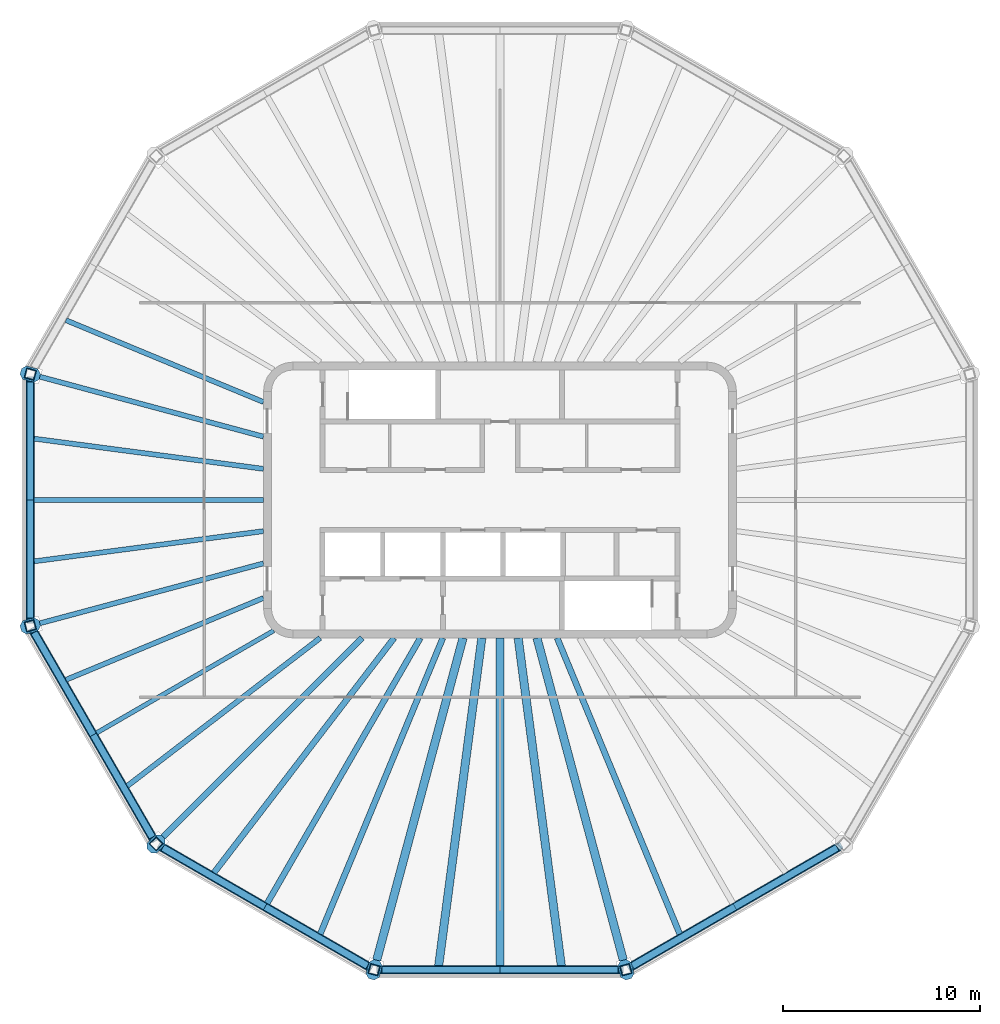
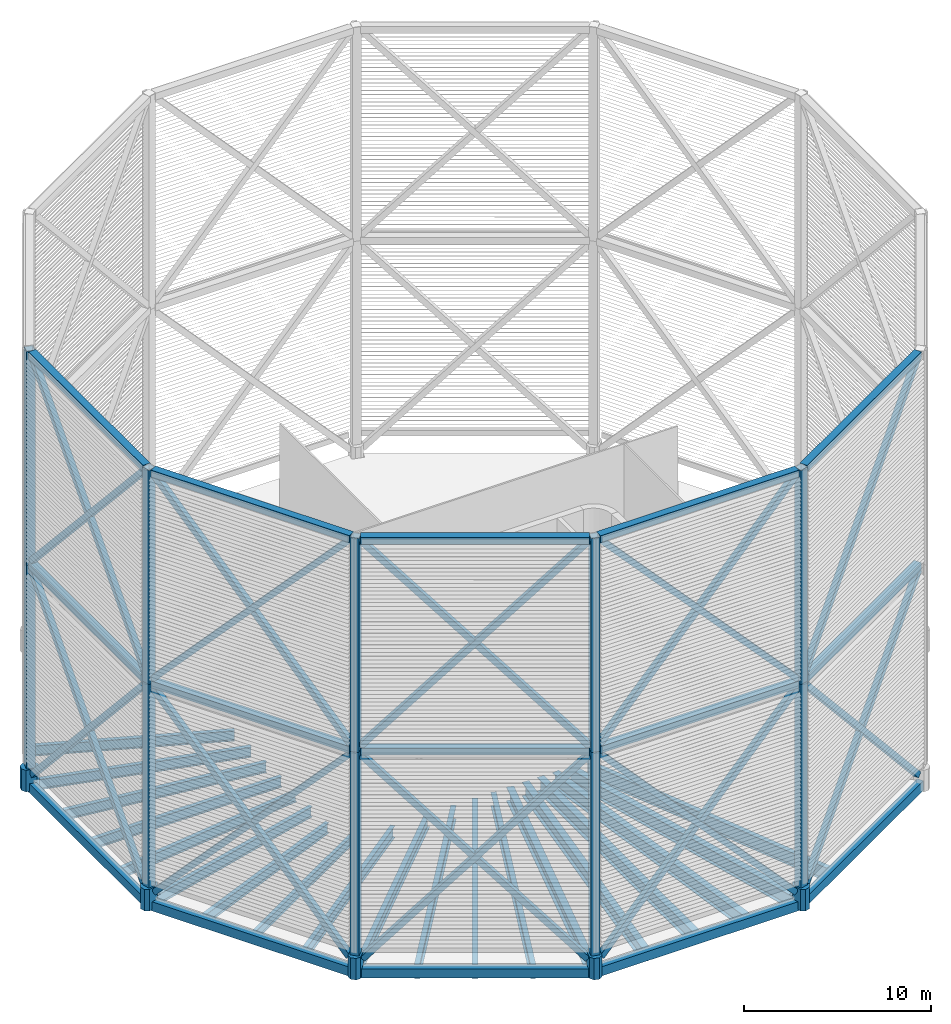
# One storey, part 1 of 18: 44 members, 24 beams.
"""IFC4 building model written with IfcOpenShell, lengths in metres."""

from ifc_helpers import new_model, si_unit, direction, frame, origin, origin_2d, place, context, subcontext, project, spatial, polyline, hollow_rectangle, i_section, outline, extrude, material, material_profile, profile_set, type_object, element, save


model = new_model("IFC4")

# Units and contexts
model_context = context("Model", 3, precision=1e-05, world=origin(), true_north=direction((0.0, 1.0)))
body_context = subcontext(model_context, "Body", "Model", "MODEL_VIEW")
ifc_project = project(units=[si_unit("LENGTHUNIT", "METRE"), si_unit("AREAUNIT", "SQUARE_METRE"), si_unit("VOLUMEUNIT", "CUBIC_METRE"), si_unit("PLANEANGLEUNIT", "RADIAN"), si_unit("MASSUNIT", "GRAM", prefix="KILO")], contexts=[model_context])

# Site, building, storey
site_placement = place(None, origin())
site = spatial("IfcSite", under=ifc_project, at=site_placement, CompositionType="ELEMENT")
building_placement = place(site_placement, origin())
building = spatial("IfcBuilding", under=site, at=building_placement, Name="Sahrelin Media Tower", CompositionType="ELEMENT")
storey_placement = place(building_placement, frame((0.0, 0.0, 335.800048828125)))
storey = spatial("IfcBuildingStorey", under=building, at=storey_placement, Name="Crown", CompositionType="ELEMENT", Elevation=335.800048828125)

# Members
ifc_material_1 = material(Name="Steel S460", Category="steel")
ifc_material_profile_1 = material_profile(ifc_material_1, hollow_rectangle(XDim=0.35009765625, YDim=0.35009765625, WallThickness=0.02001953125, at=origin_2d()), Name="Crown frame brace CF3")
ifc_profile_set_1 = profile_set([ifc_material_profile_1], Name="Steel S460")
member_type_1 = type_object("IfcMemberType", Name="Crown frame brace CF3", PredefinedType="BRACE", material=ifc_profile_set_1)
for number, where, z_axis, x_axis, name in (
    (1, (-23.830078125, 6.02294921875, 0.397216796875), (0.0, -0.673921530076, 0.738802931302), (1.0, 0.0, 0.0), "Crown frame brace CX-05A1"),
    (2, (-23.830078125, -6.02294921875, 0.397216796875), (0.0, 0.673921530076, 0.738802931302), (-1.0, 0.0, 0.0), "Crown frame brace CX-05A2"),
):
    element("IfcMember", number, at=place(storey_placement, frame(where, z_axis=z_axis, x_axis=x_axis)), inside=storey, type_object=member_type_1, Name=name, PredefinedType="BRACE", context=body_context, shape_type="SweptSolid", body=[
        extrude(hollow_rectangle(XDim=0.35009765625, YDim=0.35009765625, WallThickness=0.02001953125, at=origin_2d()), origin(), (0.0, 0.0, 1.0), 18.02783203125),
    ])
for number, where, z_axis, x_axis, name in (
    (3, (-23.830078125, 6.12646484375, 14.28369140625), (0.0, -0.673920329004, 0.738804026895), (1.0, 0.0, 0.0), "Crown frame brace CX-05B1"),
    (4, (-23.830078125, -6.12646484375, 14.28369140625), (0.0, 0.673920329004, 0.738804026895), (-1.0, 0.0, 0.0), "Crown frame brace CX-05B2"),
):
    element("IfcMember", number, at=place(storey_placement, frame(where, z_axis=z_axis, x_axis=x_axis)), inside=storey, type_object=member_type_1, Name=name, PredefinedType="BRACE", context=body_context, shape_type="SweptSolid", body=[
        extrude(hollow_rectangle(XDim=0.35009765625, YDim=0.35009765625, WallThickness=0.02001953125, at=origin_2d()), origin(), (0.0, 0.0, 1.0), 18.181640625),
    ])
for number, where, z_axis, x_axis, name in (
    (5, (-23.64892578125, -6.69921875, 0.397216796875), (0.336963130529, -0.583625234035, 0.738808117756), (0.866020941651, 0.500007728563, 0.0), "Crown frame brace CX-06A1"),
    (6, (-17.626220703125, -17.131103515625, 0.397216796875), (-0.336948462478, 0.583636826792, 0.738805649712), (-0.866034666717, -0.499983955788, 0.0), "Crown frame brace CX-06A2"),
):
    element("IfcMember", number, at=place(storey_placement, frame(where, z_axis=z_axis, x_axis=x_axis)), inside=storey, type_object=member_type_1, Name=name, PredefinedType="BRACE", context=body_context, shape_type="SweptSolid", body=[
        extrude(hollow_rectangle(XDim=0.35009765625, YDim=0.35009765625, WallThickness=0.02001953125, at=origin_2d()), origin(), (0.0, 0.0, 1.0), 18.02783203125),
    ])
for number, where, z_axis, x_axis, name in (
    (7, (-23.70068359375, -6.609375, 14.28369140625), (0.336960383592, -0.583631390469, 0.738804507261), (0.866024990512, 0.500000715809, 0.0), "Crown frame brace CX-06B1"),
    (8, (-17.57421875, -17.220703125, 14.28369140625), (-0.336960383592, 0.583631390469, 0.738804507261), (-0.866024990512, -0.500000715809, 0.0), "Crown frame brace CX-06B2"),
):
    element("IfcMember", number, at=place(storey_placement, frame(where, z_axis=z_axis, x_axis=x_axis)), inside=storey, type_object=member_type_1, Name=name, PredefinedType="BRACE", context=body_context, shape_type="SweptSolid", body=[
        extrude(hollow_rectangle(XDim=0.35009765625, YDim=0.35009765625, WallThickness=0.02001953125, at=origin_2d()), origin(), (0.0, 0.0, 1.0), 18.181640625),
    ])
for number, where, z_axis, x_axis, name in (
    (9, (-17.131103515625, -17.626220703125, 0.397216796875), (0.583636826792, -0.336948462478, 0.738805649712), (0.499983955788, 0.866034666717, 0.0), "Crown frame brace CX-07A1"),
    (10, (-6.69921875, -23.64892578125, 0.397216796875), (-0.583625234035, 0.336963130529, 0.738808117756), (-0.500007728563, -0.866020941651, 0.0), "Crown frame brace CX-07A2"),
):
    element("IfcMember", number, at=place(storey_placement, frame(where, z_axis=z_axis, x_axis=x_axis)), inside=storey, type_object=member_type_1, Name=name, PredefinedType="BRACE", context=body_context, shape_type="SweptSolid", body=[
        extrude(hollow_rectangle(XDim=0.35009765625, YDim=0.35009765625, WallThickness=0.02001953125, at=origin_2d()), origin(), (0.0, 0.0, 1.0), 18.02783203125),
    ])
for number, where, z_axis, x_axis, name in (
    (11, (-17.220703125, -17.57421875, 14.28369140625), (0.583631390469, -0.336960383592, 0.738804507261), (0.500000715809, 0.866024990512, 0.0), "Crown frame brace CX-07B1"),
    (12, (-6.609375, -23.70068359375, 14.28369140625), (-0.583631390469, 0.336960383592, 0.738804507261), (-0.500000715809, -0.866024990512, 0.0), "Crown frame brace CX-07B2"),
):
    element("IfcMember", number, at=place(storey_placement, frame(where, z_axis=z_axis, x_axis=x_axis)), inside=storey, type_object=member_type_1, Name=name, PredefinedType="BRACE", context=body_context, shape_type="SweptSolid", body=[
        extrude(hollow_rectangle(XDim=0.35009765625, YDim=0.35009765625, WallThickness=0.02001953125, at=origin_2d()), origin(), (0.0, 0.0, 1.0), 18.181640625),
    ])
for number, where, z_axis, x_axis, name in (
    (13, (-6.02294921875, -23.830078125, 0.397216796875), (0.673921530076, 0.0, 0.738802931302), (0.0, 1.0, 0.0), "Crown frame brace CX-08A1"),
    (14, (6.02294921875, -23.830078125, 0.397216796875), (-0.673921530076, 0.0, 0.738802931302), (0.0, -1.0, 0.0), "Crown frame brace CX-08A2"),
):
    element("IfcMember", number, at=place(storey_placement, frame(where, z_axis=z_axis, x_axis=x_axis)), inside=storey, type_object=member_type_1, Name=name, PredefinedType="BRACE", context=body_context, shape_type="SweptSolid", body=[
        extrude(hollow_rectangle(XDim=0.35009765625, YDim=0.35009765625, WallThickness=0.02001953125, at=origin_2d()), origin(), (0.0, 0.0, 1.0), 18.02783203125),
    ])
for number, where, z_axis, x_axis, name in (
    (15, (-6.12646484375, -23.830078125, 14.28369140625), (0.673920329004, 0.0, 0.738804026895), (0.0, 1.0, 0.0), "Crown frame brace CX-08B1"),
    (16, (6.12646484375, -23.830078125, 14.28369140625), (-0.673920329004, 0.0, 0.738804026895), (0.0, -1.0, 0.0), "Crown frame brace CX-08B2"),
):
    element("IfcMember", number, at=place(storey_placement, frame(where, z_axis=z_axis, x_axis=x_axis)), inside=storey, type_object=member_type_1, Name=name, PredefinedType="BRACE", context=body_context, shape_type="SweptSolid", body=[
        extrude(hollow_rectangle(XDim=0.35009765625, YDim=0.35009765625, WallThickness=0.02001953125, at=origin_2d()), origin(), (0.0, 0.0, 1.0), 18.181640625),
    ])
for number, where, z_axis, x_axis, name in (
    (17, (6.69921875, -23.64892578125, 0.397216796875), (0.583625234035, 0.336963130529, 0.738808117756), (-0.500007728563, 0.866020941651, 0.0), "Crown frame brace CX-09A1"),
    (18, (17.131103515625, -17.626220703125, 0.397216796875), (-0.583636826792, -0.336948462478, 0.738805649712), (0.499983955788, -0.866034666717, 0.0), "Crown frame brace CX-09A2"),
):
    element("IfcMember", number, at=place(storey_placement, frame(where, z_axis=z_axis, x_axis=x_axis)), inside=storey, type_object=member_type_1, Name=name, PredefinedType="BRACE", context=body_context, shape_type="SweptSolid", body=[
        extrude(hollow_rectangle(XDim=0.35009765625, YDim=0.35009765625, WallThickness=0.02001953125, at=origin_2d()), origin(), (0.0, 0.0, 1.0), 18.02783203125),
    ])
member_1_placement = place(storey_placement, frame((6.609375, -23.70068359375, 14.28369140625), z_axis=(0.583631390469, 0.336960383592, 0.738804507261), x_axis=(-0.500000715809, 0.866024990512, 0.0)))
element("IfcMember", 19, at=member_1_placement, inside=storey, type_object=member_type_1, Name="Crown frame brace CX-09B1", PredefinedType="BRACE", context=body_context, shape_type="SweptSolid", body=[
    extrude(hollow_rectangle(XDim=0.35009765625, YDim=0.35009765625, WallThickness=0.02001953125, at=origin_2d()), origin(), (0.0, 0.0, 1.0), 18.181640625),
])
ifc_material_profile_2 = material_profile(ifc_material_1, hollow_rectangle(XDim=0.5, YDim=0.5, WallThickness=0.030029296875, at=origin_2d()), Name="Crown frame post CF1")
ifc_profile_set_2 = profile_set([ifc_material_profile_2], Name="Steel S460")
member_type_2 = type_object("IfcMemberType", Name="Crown frame post CF1", PredefinedType="POST", material=ifc_profile_set_2)
member_2_placement = place(storey_placement, frame((-23.830078125, 6.38525390625, 0.699951171875), z_axis=(0.0, 0.0, 1.0), x_axis=(-0.965925826289, 0.258819045103, 0.0)))
element("IfcMember", 20, at=member_2_placement, inside=storey, type_object=member_type_2, Name="Crown frame post CP-05-1", PredefinedType="POST", context=body_context, shape_type="SweptSolid", body=[
    extrude(hollow_rectangle(XDim=0.5, YDim=0.5, WallThickness=0.030029296875, at=origin_2d()), origin(), (0.0, 0.0, 1.0), 13.300048828125),
])
member_3_placement = place(storey_placement, frame((-23.830078125, 6.38525390625, 14.0), z_axis=(0.0, 0.0, 1.0), x_axis=(-0.965925826289, 0.258819045103, 0.0)))
element("IfcMember", 21, at=member_3_placement, inside=storey, type_object=member_type_2, Name="Crown frame post CP-05-2", PredefinedType="POST", context=body_context, shape_type="SweptSolid", body=[
    extrude(hollow_rectangle(XDim=0.5, YDim=0.5, WallThickness=0.030029296875, at=origin_2d()), origin(), (0.0, 0.0, 1.0), 13.969970703125),
])
member_4_placement = place(storey_placement, frame((-23.830078125, -6.38525390625, 0.699951171875), z_axis=(0.0, 0.0, 1.0), x_axis=(-0.965925826289, -0.258819045103, 0.0)))
element("IfcMember", 22, at=member_4_placement, inside=storey, type_object=member_type_2, Name="Crown frame post CP-06-1", PredefinedType="POST", context=body_context, shape_type="SweptSolid", body=[
    extrude(hollow_rectangle(XDim=0.5, YDim=0.5, WallThickness=0.030029296875, at=origin_2d()), origin(), (0.0, 0.0, 1.0), 13.300048828125),
])
member_5_placement = place(storey_placement, frame((-23.830078125, -6.38525390625, 14.0), z_axis=(0.0, 0.0, 1.0), x_axis=(-0.965925826289, -0.258819045103, 0.0)))
element("IfcMember", 23, at=member_5_placement, inside=storey, type_object=member_type_2, Name="Crown frame post CP-06-2", PredefinedType="POST", context=body_context, shape_type="SweptSolid", body=[
    extrude(hollow_rectangle(XDim=0.5, YDim=0.5, WallThickness=0.030029296875, at=origin_2d()), origin(), (0.0, 0.0, 1.0), 13.969970703125),
])
member_6_placement = place(storey_placement, frame((-17.44482421875, -17.44482421875, 0.699951171875), z_axis=(0.0, 0.0, 1.0), x_axis=(-0.707106781187, -0.707106781187, 0.0)))
element("IfcMember", 24, at=member_6_placement, inside=storey, type_object=member_type_2, Name="Crown frame post CP-07-1", PredefinedType="POST", context=body_context, shape_type="SweptSolid", body=[
    extrude(hollow_rectangle(XDim=0.5, YDim=0.5, WallThickness=0.030029296875, at=origin_2d()), origin(), (0.0, 0.0, 1.0), 13.300048828125),
])
member_7_placement = place(storey_placement, frame((-17.44482421875, -17.44482421875, 14.0), z_axis=(0.0, 0.0, 1.0), x_axis=(-0.707106781187, -0.707106781187, 0.0)))
element("IfcMember", 25, at=member_7_placement, inside=storey, type_object=member_type_2, Name="Crown frame post CP-07-2", PredefinedType="POST", context=body_context, shape_type="SweptSolid", body=[
    extrude(hollow_rectangle(XDim=0.5, YDim=0.5, WallThickness=0.030029296875, at=origin_2d()), origin(), (0.0, 0.0, 1.0), 13.969970703125),
])
member_8_placement = place(storey_placement, frame((-6.38525390625, -23.830078125, 0.699951171875), z_axis=(0.0, 0.0, 1.0), x_axis=(-0.258819045103, -0.965925826289, 0.0)))
element("IfcMember", 26, at=member_8_placement, inside=storey, type_object=member_type_2, Name="Crown frame post CP-08-1", PredefinedType="POST", context=body_context, shape_type="SweptSolid", body=[
    extrude(hollow_rectangle(XDim=0.5, YDim=0.5, WallThickness=0.030029296875, at=origin_2d()), origin(), (0.0, 0.0, 1.0), 13.300048828125),
])
member_9_placement = place(storey_placement, frame((-6.38525390625, -23.830078125, 14.0), z_axis=(0.0, 0.0, 1.0), x_axis=(-0.258819045103, -0.965925826289, 0.0)))
element("IfcMember", 27, at=member_9_placement, inside=storey, type_object=member_type_2, Name="Crown frame post CP-08-2", PredefinedType="POST", context=body_context, shape_type="SweptSolid", body=[
    extrude(hollow_rectangle(XDim=0.5, YDim=0.5, WallThickness=0.030029296875, at=origin_2d()), origin(), (0.0, 0.0, 1.0), 13.969970703125),
])
member_10_placement = place(storey_placement, frame((6.38525390625, -23.830078125, 0.699951171875), z_axis=(0.0, 0.0, 1.0), x_axis=(0.258819045103, -0.965925826289, 0.0)))
element("IfcMember", 28, at=member_10_placement, inside=storey, type_object=member_type_2, Name="Crown frame post CP-09-1", PredefinedType="POST", context=body_context, shape_type="SweptSolid", body=[
    extrude(hollow_rectangle(XDim=0.5, YDim=0.5, WallThickness=0.030029296875, at=origin_2d()), origin(), (0.0, 0.0, 1.0), 13.300048828125),
])
member_11_placement = place(storey_placement, frame((6.38525390625, -23.830078125, 14.0), z_axis=(0.0, 0.0, 1.0), x_axis=(0.258819045103, -0.965925826289, 0.0)))
element("IfcMember", 29, at=member_11_placement, inside=storey, type_object=member_type_2, Name="Crown frame post CP-09-2", PredefinedType="POST", context=body_context, shape_type="SweptSolid", body=[
    extrude(hollow_rectangle(XDim=0.5, YDim=0.5, WallThickness=0.030029296875, at=origin_2d()), origin(), (0.0, 0.0, 1.0), 13.969970703125),
])
ifc_material_profile_3 = material_profile(ifc_material_1, hollow_rectangle(XDim=0.449951171875, YDim=0.449951171875, WallThickness=0.02490234375, at=origin_2d()), Name="Crown frame ring beam CF2")
ifc_profile_set_3 = profile_set([ifc_material_profile_3], Name="Steel S460")
member_type_3 = type_object("IfcMemberType", Name="Crown frame ring beam CF2", PredefinedType="MEMBER", material=ifc_profile_set_3)
for number, where, z_axis, x_axis, name in (
    (30, (-23.830078125, 6.12646484375, 14.0), (0.0, -1.0, 0.0), (1.0, 0.0, 0.0), "Crown frame mid ring beam CR-MID-05"),
    (31, (-23.70068359375, -6.609375, 14.0), (0.500000715809, -0.866024990512, 0.0), (0.866024990512, 0.500000715809, 0.0), "Crown frame mid ring beam CR-MID-06"),
    (32, (-17.220703125, -17.57421875, 14.0), (0.866024990512, -0.500000715809, 0.0), (0.500000715809, 0.866024990512, 0.0), "Crown frame mid ring beam CR-MID-07"),
    (33, (-6.12646484375, -23.830078125, 14.0), (1.0, 0.0, 0.0), (0.0, 1.0, 0.0), "Crown frame mid ring beam CR-MID-08"),
    (34, (6.609375, -23.70068359375, 14.0), (0.866024990512, 0.500000715809, 0.0), (-0.500000715809, 0.866024990512, 0.0), "Crown frame mid ring beam CR-MID-09"),
    (35, (-23.830078125, 6.12646484375, 27.77490234375), (0.0, -1.0, 0.0), (1.0, 0.0, 0.0), "Crown frame cap ring beam CR-CAP-05"),
    (36, (-23.70068359375, -6.609375, 27.77490234375), (0.500000715809, -0.866024990512, 0.0), (0.866024990512, 0.500000715809, 0.0), "Crown frame cap ring beam CR-CAP-06"),
    (37, (-17.220703125, -17.57421875, 27.77490234375), (0.866024990512, -0.500000715809, 0.0), (0.500000715809, 0.866024990512, 0.0), "Crown frame cap ring beam CR-CAP-07"),
    (38, (-6.12646484375, -23.830078125, 27.77490234375), (1.0, 0.0, 0.0), (0.0, 1.0, 0.0), "Crown frame cap ring beam CR-CAP-08"),
    (39, (6.609375, -23.70068359375, 27.77490234375), (0.866024990512, 0.500000715809, 0.0), (-0.500000715809, 0.866024990512, 0.0), "Crown frame cap ring beam CR-CAP-09"),
):
    element("IfcMember", number, at=place(storey_placement, frame(where, z_axis=z_axis, x_axis=x_axis)), inside=storey, type_object=member_type_3, Name=name, PredefinedType="MEMBER", context=body_context, shape_type="SweptSolid", body=[
        extrude(hollow_rectangle(XDim=0.449951171875, YDim=0.449951171875, WallThickness=0.02490234375, at=origin_2d()), origin(), (0.0, 0.0, 1.0), 12.2529296875),
    ])
ifc_material_profile_4 = material_profile(ifc_material_1, outline(polyline([(0.300048828125, -0.35009765625), (0.5, -0.14990234375), (0.5, 0.14990234375), (0.300048828125, 0.35009765625), (-0.300048828125, 0.35009765625), (-0.5, 0.14990234375), (-0.5, -0.14990234375), (-0.300048828125, -0.35009765625), (0.300048828125, -0.35009765625)])), Name="Diagrid node block 1000")
ifc_profile_set_4 = profile_set([ifc_material_profile_4], Name="Steel S460")
member_type_4 = type_object("IfcMemberType", Name="Diagrid node block 1000", PredefinedType="USERDEFINED", material=ifc_profile_set_4)
for number, where, z_axis, x_axis, name in (
    (40, (-23.830078125, 6.38525390625, -0.699951171875), (0.0, 0.0, 1.0), (-0.965925826289, 0.258819045103, 0.0), "Diagrid node N17-05"),
    (41, (-23.830078125, -6.38525390625, -0.699951171875), (0.0, 0.0, 1.0), (-0.965925826289, -0.258819045103, 0.0), "Diagrid node N17-06"),
    (42, (-17.44482421875, -17.44482421875, -0.699951171875), (0.0, 0.0, 1.0), (-0.707106781187, -0.707106781187, 0.0), "Diagrid node N17-07"),
    (43, (-6.38525390625, -23.830078125, -0.699951171875), (0.0, 0.0, 1.0), (-0.258819045103, -0.965925826289, 0.0), "Diagrid node N17-08"),
    (44, (6.38525390625, -23.830078125, -0.699951171875), (0.0, 0.0, 1.0), (0.258819045103, -0.965925826289, 0.0), "Diagrid node N17-09"),
):
    element("IfcMember", number, at=place(storey_placement, frame(where, z_axis=z_axis, x_axis=x_axis)), inside=storey, type_object=member_type_4, Name=name, ObjectType="NODE", PredefinedType="USERDEFINED", context=body_context, shape_type="SweptSolid", body=[
        extrude(outline(polyline([(0.300048828125, -0.35009765625), (0.5, -0.14990234375), (0.5, 0.14990234375), (0.300048828125, 0.35009765625), (-0.300048828125, 0.35009765625), (-0.5, 0.14990234375), (-0.5, -0.14990234375), (-0.300048828125, -0.35009765625), (0.300048828125, -0.35009765625)])), origin(), (0.0, 0.0, 1.0), 1.39990234375),
    ])

# Beams
ifc_material_profile_5 = material_profile(ifc_material_1, hollow_rectangle(XDim=0.39990234375, YDim=0.60009765625, WallThickness=0.030029296875, at=origin_2d()), Name="Diagrid ring beam RB1")
ifc_profile_set_5 = profile_set([ifc_material_profile_5], Name="Steel S460")
beam_type_1 = type_object("IfcBeamType", Name="Diagrid ring beam RB1", PredefinedType="BEAM", material=ifc_profile_set_5)
for number, where, z_axis, x_axis, name in (
    (45, (-23.830078125, 6.38525390625, -0.5), (0.0, -1.0, 0.0), (1.0, 0.0, 0.0), "Diagrid ring beam RB17-05"),
    (46, (-23.830078125, -6.38525390625, -0.5), (0.500000470374, -0.866025132214, 0.0), (0.866025132214, 0.500000470374, 0.0), "Diagrid ring beam RB17-06"),
    (47, (-17.44482421875, -17.44482421875, -0.5), (0.866025132214, -0.500000470374, 0.0), (0.500000470374, 0.866025132214, 0.0), "Diagrid ring beam RB17-07"),
    (48, (-6.38525390625, -23.830078125, -0.5), (1.0, 0.0, 0.0), (0.0, 1.0, 0.0), "Diagrid ring beam RB17-08"),
    (49, (6.38525390625, -23.830078125, -0.5), (0.866025132214, 0.500000470374, 0.0), (-0.500000470374, 0.866025132214, 0.0), "Diagrid ring beam RB17-09"),
):
    element("IfcBeam", number, at=place(storey_placement, frame(where, z_axis=z_axis, x_axis=x_axis)), inside=storey, type_object=beam_type_1, Name=name, PredefinedType="BEAM", context=body_context, shape_type="SweptSolid", body=[
        extrude(hollow_rectangle(XDim=0.39990234375, YDim=0.60009765625, WallThickness=0.030029296875, at=origin_2d()), origin(), (0.0, 0.0, 1.0), 12.7705078125),
    ])
ifc_material_2 = material(Name="Steel S355", Category="steel")
ifc_material_profile_6 = material_profile(ifc_material_2, i_section(OverallWidth=0.291748046875, OverallDepth=0.8349609375, WebThickness=0.013916015625, FlangeThickness=0.018798828125, FilletRadius=0.017822265625, at=origin_2d()), Name="UB 838x292x176")
ifc_profile_set_6 = profile_set([ifc_material_profile_6], Name="Steel S355")
beam_type_2 = type_object("IfcBeamType", Name="Radial primary beam PB10", PredefinedType="BEAM", material=ifc_profile_set_6)
beam_1_placement = place(storey_placement, frame((-7.0, -7.0, -0.617431640625), z_axis=(-0.707106781187, -0.707106781187, 0.0), x_axis=(0.707106781187, -0.707106781187, 0.0)))
element("IfcBeam", 50, at=beam_1_placement, inside=storey, type_object=beam_type_2, Name="Radial beam Crown-16", PredefinedType="BEAM", context=body_context, shape_type="SweptSolid", body=[
    extrude(i_section(OverallWidth=0.291748046875, OverallDepth=0.8349609375, WebThickness=0.013916015625, FlangeThickness=0.018798828125, FilletRadius=0.017822265625, at=origin_2d()), origin(), (0.0, 0.0, 1.0), 14.271240234375),
])
ifc_material_profile_7 = material_profile(ifc_material_2, i_section(OverallWidth=0.30322265625, OverallDepth=0.903076171875, WebThickness=0.01513671875, FlangeThickness=0.020263671875, FilletRadius=0.01904296875, at=origin_2d()), Name="UB 914x305x201")
ifc_profile_set_7 = profile_set([ifc_material_profile_7], Name="Steel S355")
beam_type_3 = type_object("IfcBeamType", Name="Radial primary beam PB11", PredefinedType="BEAM", material=ifc_profile_set_7)
beam_2_placement = place(storey_placement, frame((-4.04150390625, -7.0, -0.651611328125), z_axis=(-0.500001562308, -0.866024501784, 0.0), x_axis=(0.866024501784, -0.500001562308, 0.0)))
element("IfcBeam", 51, at=beam_2_placement, inside=storey, type_object=beam_type_3, Name="Radial beam Crown-17", PredefinedType="BEAM", context=body_context, shape_type="SweptSolid", body=[
    extrude(i_section(OverallWidth=0.30322265625, OverallDepth=0.903076171875, WebThickness=0.01513671875, FlangeThickness=0.020263671875, FilletRadius=0.01904296875, at=origin_2d()), origin(), (0.0, 0.0, 1.0), 15.54736328125),
])
ifc_material_profile_8 = material_profile(ifc_material_2, i_section(OverallWidth=0.41845703125, OverallDepth=0.911865234375, WebThickness=0.019287109375, FlangeThickness=0.031982421875, FilletRadius=0.024169921875, at=origin_2d()), Name="UB 914x419x343")
ifc_profile_set_8 = profile_set([ifc_material_profile_8], Name="Steel S355")
beam_type_4 = type_object("IfcBeamType", Name="Radial primary beam PB12", PredefinedType="BEAM", material=ifc_profile_set_8)
beam_3_placement = place(storey_placement, frame((-1.87548828125, -7.0, -0.656005859375), z_axis=(-0.258827901059, -0.965923453299, 0.0), x_axis=(0.965923453299, -0.258827901059, 0.0)))
element("IfcBeam", 52, at=beam_3_placement, inside=storey, type_object=beam_type_4, Name="Radial beam Crown-18", PredefinedType="BEAM", context=body_context, shape_type="SweptSolid", body=[
    extrude(i_section(OverallWidth=0.41845703125, OverallDepth=0.911865234375, WebThickness=0.019287109375, FlangeThickness=0.031982421875, FilletRadius=0.024169921875, at=origin_2d()), origin(), (0.0, 0.0, 1.0), 16.923828125),
])
beam_4_placement = place(storey_placement, frame((0.0, -7.0, -0.656005859375), z_axis=(0.0, -1.0, 0.0), x_axis=(1.0, 0.0, 0.0)))
element("IfcBeam", 53, at=beam_4_placement, inside=storey, type_object=beam_type_4, Name="Radial beam Crown-19", PredefinedType="BEAM", context=body_context, shape_type="SweptSolid", body=[
    extrude(i_section(OverallWidth=0.41845703125, OverallDepth=0.911865234375, WebThickness=0.019287109375, FlangeThickness=0.031982421875, FilletRadius=0.024169921875, at=origin_2d()), origin(), (0.0, 0.0, 1.0), 16.630126953125),
])
beam_5_placement = place(storey_placement, frame((1.87548828125, -7.0, -0.656005859375), z_axis=(0.258827901059, -0.965923453299, 0.0), x_axis=(0.965923453299, 0.258827901059, 0.0)))
element("IfcBeam", 54, at=beam_5_placement, inside=storey, type_object=beam_type_4, Name="Radial beam Crown-20", PredefinedType="BEAM", context=body_context, shape_type="SweptSolid", body=[
    extrude(i_section(OverallWidth=0.41845703125, OverallDepth=0.911865234375, WebThickness=0.019287109375, FlangeThickness=0.031982421875, FilletRadius=0.024169921875, at=origin_2d()), origin(), (0.0, 0.0, 1.0), 16.923828125),
])
ifc_material_profile_9 = material_profile(ifc_material_2, i_section(OverallWidth=0.2275390625, OverallDepth=0.6025390625, WebThickness=0.010498046875, FlangeThickness=0.014892578125, FilletRadius=0.0126953125, at=origin_2d()), Name="UB 610x229x101")
ifc_profile_set_9 = profile_set([ifc_material_profile_9], Name="Steel S355")
beam_type_5 = type_object("IfcBeamType", Name="Radial primary beam PB7", PredefinedType="BEAM", material=ifc_profile_set_9)
beam_6_placement = place(storey_placement, frame((-11.47607421875, -6.625732421875, -0.50146484375), z_axis=(-0.866022628259, -0.50000480732, 0.0), x_axis=(0.50000480732, -0.866022628259, 0.0)))
element("IfcBeam", 55, at=beam_6_placement, inside=storey, type_object=beam_type_5, Name="Radial beam Crown-15", PredefinedType="BEAM", context=body_context, shape_type="SweptSolid", body=[
    extrude(i_section(OverallWidth=0.2275390625, OverallDepth=0.6025390625, WebThickness=0.010498046875, FlangeThickness=0.014892578125, FilletRadius=0.0126953125, at=origin_2d()), origin(), (0.0, 0.0, 1.0), 10.37890625),
])
ifc_material_profile_10 = material_profile(ifc_material_2, i_section(OverallWidth=0.2529296875, OverallDepth=0.677978515625, WebThickness=0.01171875, FlangeThickness=0.01611328125, FilletRadius=0.01513671875, at=origin_2d()), Name="UB 686x254x125")
ifc_profile_set_10 = profile_set([ifc_material_profile_10], Name="Steel S355")
beam_type_6 = type_object("IfcBeamType", Name="Radial primary beam PB8", PredefinedType="BEAM", material=ifc_profile_set_10)
beam_7_placement = place(storey_placement, frame((-12.0, 3.21533203125, -0.5390625), z_axis=(-0.965924488751, 0.258824036811, 0.0), x_axis=(-0.258824036811, -0.965924488751, 0.0)))
element("IfcBeam", 56, at=beam_7_placement, inside=storey, type_object=beam_type_6, Name="Radial beam Crown-12", PredefinedType="BEAM", context=body_context, shape_type="SweptSolid", body=[
    extrude(i_section(OverallWidth=0.2529296875, OverallDepth=0.677978515625, WebThickness=0.01171875, FlangeThickness=0.01611328125, FilletRadius=0.01513671875, at=origin_2d()), origin(), (0.0, 0.0, 1.0), 11.74755859375),
])
beam_8_placement = place(storey_placement, frame((-12.0, 0.0, -0.5390625), z_axis=(-1.0, 0.0, 0.0), x_axis=(0.0, -1.0, 0.0)))
element("IfcBeam", 57, at=beam_8_placement, inside=storey, type_object=beam_type_6, Name="Radial beam Crown-13", PredefinedType="BEAM", context=body_context, shape_type="SweptSolid", body=[
    extrude(i_section(OverallWidth=0.2529296875, OverallDepth=0.677978515625, WebThickness=0.01171875, FlangeThickness=0.01611328125, FilletRadius=0.01513671875, at=origin_2d()), origin(), (0.0, 0.0, 1.0), 11.630126953125),
])
beam_9_placement = place(storey_placement, frame((-12.0, -3.21533203125, -0.5390625), z_axis=(-0.965924488751, -0.258824036811, 0.0), x_axis=(0.258824036811, -0.965924488751, 0.0)))
element("IfcBeam", 58, at=beam_9_placement, inside=storey, type_object=beam_type_6, Name="Radial beam Crown-14", PredefinedType="BEAM", context=body_context, shape_type="SweptSolid", body=[
    extrude(i_section(OverallWidth=0.2529296875, OverallDepth=0.677978515625, WebThickness=0.01171875, FlangeThickness=0.01611328125, FilletRadius=0.01513671875, at=origin_2d()), origin(), (0.0, 0.0, 1.0), 11.74755859375),
])
ifc_material_profile_11 = material_profile(ifc_material_2, i_section(OverallWidth=0.30322265625, OverallDepth=0.903076171875, WebThickness=0.01513671875, FlangeThickness=0.020263671875, FilletRadius=0.01904296875, at=origin_2d()), Name="UB 914x305x201")
ifc_profile_set_11 = profile_set([ifc_material_profile_11], Name="Steel S355")
beam_type_7 = type_object("IfcBeamType", Name="Radial secondary beam SB11", PredefinedType="BEAM", material=ifc_profile_set_11)
beam_10_placement = place(storey_placement, frame((-5.371337890625, -7.0, -0.651611328125), z_axis=(-0.608756892546, -0.793356821221, 0.0), x_axis=(0.793356821221, -0.608756892546, 0.0)))
element("IfcBeam", 59, at=beam_10_placement, inside=storey, type_object=beam_type_7, Name="Secondary beam Crown-16", PredefinedType="BEAM", context=body_context, shape_type="SweptSolid", body=[
    extrude(i_section(OverallWidth=0.30322265625, OverallDepth=0.903076171875, WebThickness=0.01513671875, FlangeThickness=0.020263671875, FilletRadius=0.01904296875, at=origin_2d()), origin(), (0.0, 0.0, 1.0), 15.0107421875),
])
for number, where, z_axis, x_axis, name in (
    (60, (-2.8994140625, -7.0, -0.651611328125), (-0.382685578482, -0.923878643558, 0.0), (0.923878643558, -0.382685578482, 0.0), "Secondary beam Crown-17"),
    (61, (2.8994140625, -7.0, -0.651611328125), (0.382685578482, -0.923878643558, 0.0), (0.923878643558, 0.382685578482, 0.0), "Secondary beam Crown-20"),
):
    element("IfcBeam", number, at=place(storey_placement, frame(where, z_axis=z_axis, x_axis=x_axis)), inside=storey, type_object=beam_type_7, Name=name, PredefinedType="BEAM", context=body_context, shape_type="SweptSolid", body=[
        extrude(i_section(OverallWidth=0.30322265625, OverallDepth=0.903076171875, WebThickness=0.01513671875, FlangeThickness=0.020263671875, FilletRadius=0.01904296875, at=origin_2d()), origin(), (0.0, 0.0, 1.0), 16.25732421875),
    ])
ifc_material_profile_12 = material_profile(ifc_material_2, i_section(OverallWidth=0.41845703125, OverallDepth=0.911865234375, WebThickness=0.019287109375, FlangeThickness=0.031982421875, FilletRadius=0.024169921875, at=origin_2d()), Name="UB 914x419x343")
ifc_profile_set_12 = profile_set([ifc_material_profile_12], Name="Steel S355")
beam_type_8 = type_object("IfcBeamType", Name="Radial secondary beam SB12", PredefinedType="BEAM", material=ifc_profile_set_12)
for number, where, z_axis, x_axis, name in (
    (62, (-0.921630859375, -7.0, -0.656005859375), (-0.13052943737, -0.991444434136, 0.0), (0.991444434136, -0.13052943737, 0.0), "Secondary beam Crown-18"),
    (63, (0.921630859375, -7.0, -0.656005859375), (0.13052943737, -0.991444434136, 0.0), (0.991444434136, 0.13052943737, 0.0), "Secondary beam Crown-19"),
):
    element("IfcBeam", number, at=place(storey_placement, frame(where, z_axis=z_axis, x_axis=x_axis)), inside=storey, type_object=beam_type_8, Name=name, PredefinedType="BEAM", context=body_context, shape_type="SweptSolid", body=[
        extrude(i_section(OverallWidth=0.41845703125, OverallDepth=0.911865234375, WebThickness=0.019287109375, FlangeThickness=0.031982421875, FilletRadius=0.024169921875, at=origin_2d()), origin(), (0.0, 0.0, 1.0), 16.773681640625),
    ])
ifc_material_profile_13 = material_profile(ifc_material_2, i_section(OverallWidth=0.2529296875, OverallDepth=0.677978515625, WebThickness=0.01171875, FlangeThickness=0.01611328125, FilletRadius=0.01513671875, at=origin_2d()), Name="UB 686x254x125")
ifc_profile_set_13 = profile_set([ifc_material_profile_13], Name="Steel S355")
beam_type_9 = type_object("IfcBeamType", Name="Radial secondary beam SB8", PredefinedType="BEAM", material=ifc_profile_set_13)
beam_11_placement = place(storey_placement, frame((-12.0, 4.970703125, -0.5390625), z_axis=(-0.923885412573, 0.382669236333, 0.0), x_axis=(-0.382669236333, -0.923885412573, 0.0)))
element("IfcBeam", 64, at=beam_11_placement, inside=storey, type_object=beam_type_9, Name="Secondary beam Crown-11", PredefinedType="BEAM", context=body_context, shape_type="SweptSolid", body=[
    extrude(i_section(OverallWidth=0.2529296875, OverallDepth=0.677978515625, WebThickness=0.01171875, FlangeThickness=0.01611328125, FilletRadius=0.01513671875, at=origin_2d()), origin(), (0.0, 0.0, 1.0), 10.84521484375),
])
for number, where, z_axis, x_axis, name in (
    (65, (-12.0, 1.579833984375, -0.5390625), (-0.991443595536, 0.130535806856, 0.0), (-0.130535806856, -0.991443595536, 0.0), "Secondary beam Crown-12"),
    (66, (-12.0, -1.579833984375, -0.5390625), (-0.991443595536, -0.130535806856, 0.0), (0.130535806856, -0.991443595536, 0.0), "Secondary beam Crown-13"),
):
    element("IfcBeam", number, at=place(storey_placement, frame(where, z_axis=z_axis, x_axis=x_axis)), inside=storey, type_object=beam_type_9, Name=name, PredefinedType="BEAM", context=body_context, shape_type="SweptSolid", body=[
        extrude(i_section(OverallWidth=0.2529296875, OverallDepth=0.677978515625, WebThickness=0.01171875, FlangeThickness=0.01611328125, FilletRadius=0.01513671875, at=origin_2d()), origin(), (0.0, 0.0, 1.0), 11.73046875),
    ])
beam_12_placement = place(storey_placement, frame((-12.0, -4.970703125, -0.5390625), z_axis=(-0.923885412573, -0.382669236333, 0.0), x_axis=(0.382669236333, -0.923885412573, 0.0)))
element("IfcBeam", 67, at=beam_12_placement, inside=storey, type_object=beam_type_9, Name="Secondary beam Crown-14", PredefinedType="BEAM", context=body_context, shape_type="SweptSolid", body=[
    extrude(i_section(OverallWidth=0.2529296875, OverallDepth=0.677978515625, WebThickness=0.01171875, FlangeThickness=0.01611328125, FilletRadius=0.01513671875, at=origin_2d()), origin(), (0.0, 0.0, 1.0), 10.84521484375),
])
ifc_material_profile_14 = material_profile(ifc_material_2, i_section(OverallWidth=0.26513671875, OverallDepth=0.75390625, WebThickness=0.0126953125, FlangeThickness=0.017578125, FilletRadius=0.0166015625, at=origin_2d()), Name="UB 762x267x147")
ifc_profile_set_14 = profile_set([ifc_material_profile_14], Name="Steel S355")
beam_type_10 = type_object("IfcBeamType", Name="Radial secondary beam SB9", PredefinedType="BEAM", material=ifc_profile_set_14)
beam_13_placement = place(storey_placement, frame((-9.12255859375, -7.0, -0.5771484375), z_axis=(-0.793356230012, -0.608757663033, 0.0), x_axis=(0.608757663033, -0.793356230012, 0.0)))
element("IfcBeam", 68, at=beam_13_placement, inside=storey, type_object=beam_type_10, Name="Secondary beam Crown-15", PredefinedType="BEAM", context=body_context, shape_type="SweptSolid", body=[
    extrude(i_section(OverallWidth=0.26513671875, OverallDepth=0.75390625, WebThickness=0.0126953125, FlangeThickness=0.017578125, FilletRadius=0.0166015625, at=origin_2d()), origin(), (0.0, 0.0, 1.0), 12.33544921875),
])

save(model, "model.ifc")
